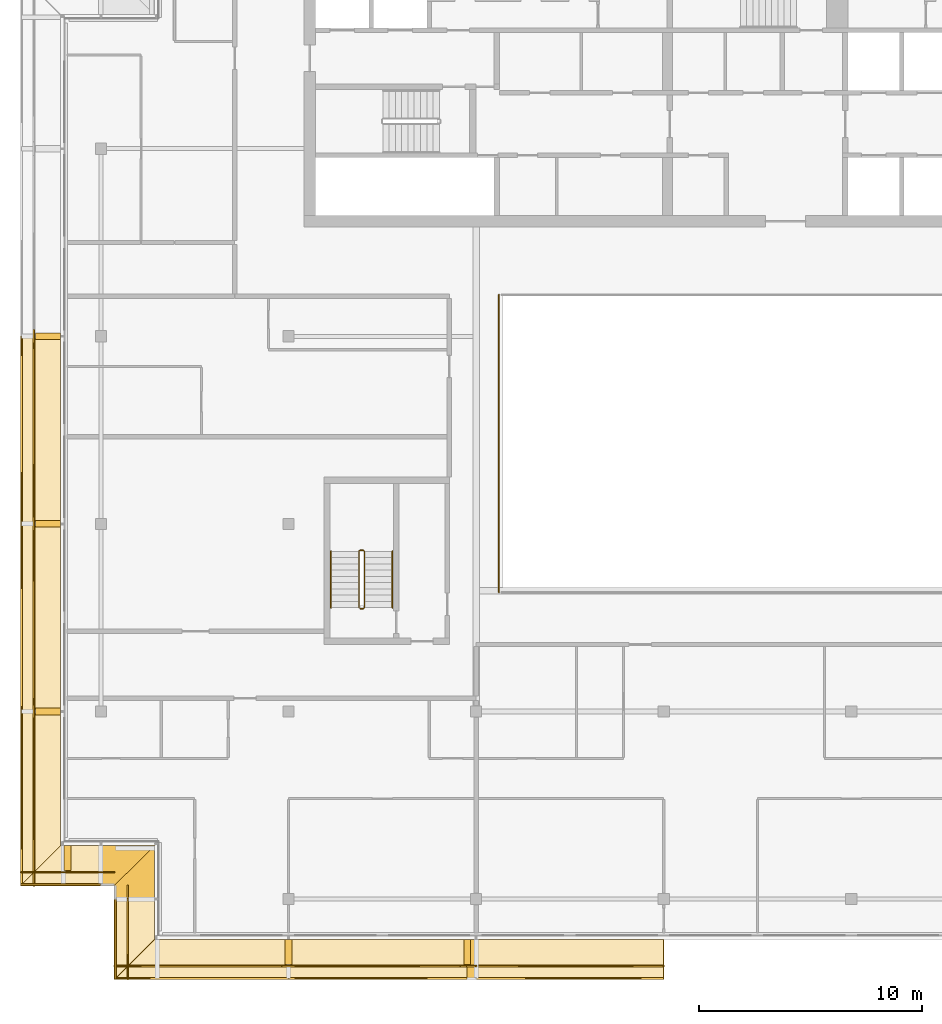
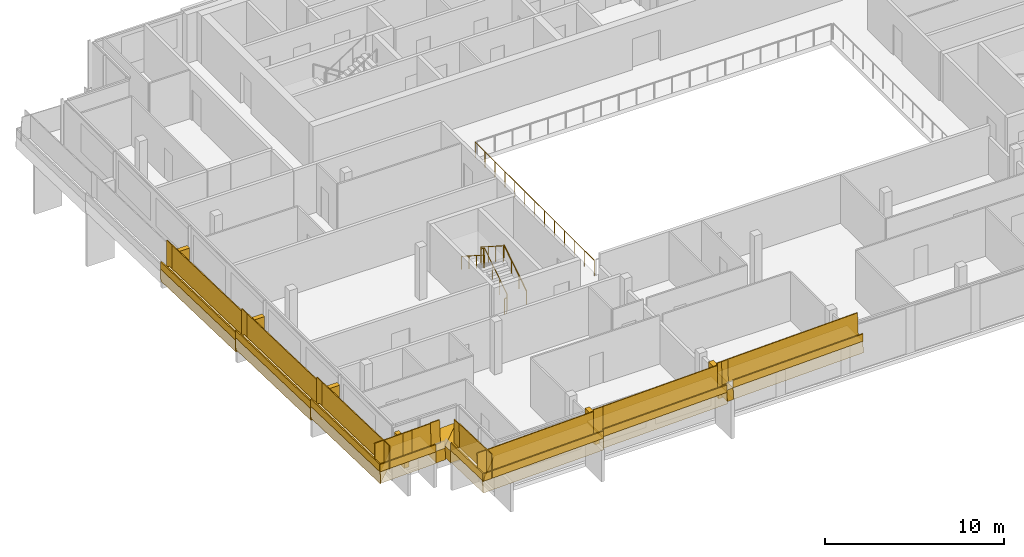
# One storey, part 22 of 27: 25 coverings, 21 railings.
"""IFC4 building model written with IfcOpenShell, lengths in metres."""

from ifc_helpers import new_model, si_unit, direction, frame, origin, origin_2d, place, context, subcontext, project, spatial, polyline, rectangle, circle, outline, extrude, material, layer, layer_set, type_object, element, save


model = new_model("IFC4")

# Units and contexts
model_context = context("Model", 3, precision=1e-05, world=origin(), true_north=direction((0.0, 1.0)))
body_context = subcontext(model_context, "Body", "Model", "MODEL_VIEW")
ifc_project = project(units=[si_unit("LENGTHUNIT", "METRE"), si_unit("AREAUNIT", "SQUARE_METRE"), si_unit("VOLUMEUNIT", "CUBIC_METRE"), si_unit("PLANEANGLEUNIT", "RADIAN"), si_unit("MASSUNIT", "GRAM", prefix="KILO")], contexts=[model_context])

# Site, building, storey
site_placement = place(None, origin())
site = spatial("IfcSite", under=ifc_project, at=site_placement, CompositionType="ELEMENT")
building_placement = place(site_placement, origin())
building = spatial("IfcBuilding", under=site, at=building_placement, Name="Saffron Gate Tower", CompositionType="ELEMENT")
storey_placement = place(building_placement, frame((0.0, 0.0, 274.35009765625)))
storey = spatial("IfcBuildingStorey", under=building, at=storey_placement, Name="L66", CompositionType="ELEMENT", Elevation=274.35009765625)

# Railings
ifc_material_1 = material(Name="Stainless steel and laminated glass", Category="steel")
railing_type_1 = type_object("IfcRailingType", Name="AG1 Atrium edge guard 1100", PredefinedType="GUARDRAIL", material=ifc_material_1)
railing_1_placement = place(storey_placement, frame((76.02001953125, 45.5400390625, 0.0)))
element("IfcRailing", 1, at=railing_1_placement, inside=storey, type_object=railing_type_1, Name="Guard E3-1", PredefinedType="GUARDRAIL", context=body_context, shape_type="SweptSolid", body=[
    extrude(circle(Radius=0.02392578125, at=origin_2d()), frame((0.0, 0.0, 1.076171875), z_axis=(0.0, 1.0, 0.0), x_axis=(-1.0, 0.0, 0.0)), (0.0, 0.0, 1.0), 13.320068359375),
    extrude(circle(Radius=0.02099609375, at=origin_2d()), origin(), (0.0, 0.0, 1.0), 1.052001953125),
    extrude(circle(Radius=0.02099609375, at=origin_2d()), frame((0.0, 1.110107421875, 0.0)), (0.0, 0.0, 1.0), 1.052001953125),
    extrude(circle(Radius=0.02099609375, at=origin_2d()), frame((0.0, 2.219970703125, 0.0)), (0.0, 0.0, 1.0), 1.052001953125),
    extrude(circle(Radius=0.02099609375, at=origin_2d()), frame((0.0, 3.330078125, 0.0)), (0.0, 0.0, 1.0), 1.052001953125),
    extrude(circle(Radius=0.02099609375, at=origin_2d()), frame((0.0, 4.43994140625, 0.0)), (0.0, 0.0, 1.0), 1.052001953125),
    extrude(circle(Radius=0.02099609375, at=origin_2d()), frame((0.0, 5.550048828125, 0.0)), (0.0, 0.0, 1.0), 1.052001953125),
    extrude(circle(Radius=0.02099609375, at=origin_2d()), frame((0.0, 6.66015625, 0.0)), (0.0, 0.0, 1.0), 1.052001953125),
    extrude(circle(Radius=0.02099609375, at=origin_2d()), frame((0.0, 7.77001953125, 0.0)), (0.0, 0.0, 1.0), 1.052001953125),
    extrude(circle(Radius=0.02099609375, at=origin_2d()), frame((0.0, 8.880126953125, 0.0)), (0.0, 0.0, 1.0), 1.052001953125),
    extrude(circle(Radius=0.02099609375, at=origin_2d()), frame((0.0, 9.989990234375, 0.0)), (0.0, 0.0, 1.0), 1.052001953125),
    extrude(circle(Radius=0.02099609375, at=origin_2d()), frame((0.0, 11.10009765625, 0.0)), (0.0, 0.0, 1.0), 1.052001953125),
    extrude(circle(Radius=0.02099609375, at=origin_2d()), frame((0.0, 12.2099609375, 0.0)), (0.0, 0.0, 1.0), 1.052001953125),
    extrude(circle(Radius=0.02099609375, at=origin_2d()), frame((0.0, 13.320068359375, 0.0)), (0.0, 0.0, 1.0), 1.052001953125),
])
railing_type_2 = type_object("IfcRailingType", Name="CR1 Stair guard 1100", PredefinedType="GUARDRAIL", material=ifc_material_1)
railing_2_placement = place(storey_placement, frame((69.800048828125, 44.800048828125, 0.0)))
element("IfcRailing", 2, at=railing_2_placement, inside=storey, type_object=railing_type_2, Name="L66 ST-D stair guard 1", PredefinedType="GUARDRAIL", context=body_context, shape_type="SweptSolid", body=[
    extrude(circle(Radius=0.02392578125, at=origin_2d()), frame((0.0, 0.0, 1.076171875), z_axis=(1.0, 0.0, 0.0), x_axis=(0.0, 1.0, 0.0)), (0.0, 0.0, 1.0), 0.14990234375),
    extrude(circle(Radius=0.02392578125, at=origin_2d()), frame((0.14990234375, 0.0, 1.076171875), z_axis=(0.258847668887, 0.258847668887, 0.930588936439), x_axis=(-0.707106781187, 0.707106781187, 0.0)), (0.0, 0.0, 1.0), 0.193359375),
    extrude(circle(Radius=0.02392578125, at=origin_2d()), frame((0.199951171875, 0.050048828125, 1.255859375), z_axis=(0.0, 0.841199657755, 0.540724639528), x_axis=(-1.0, 0.0, 0.0)), (0.0, 0.0, 1.0), 2.995849609375),
    extrude(circle(Radius=0.02392578125, at=origin_2d()), frame((0.199951171875, 2.570068359375, 2.8759765625), z_axis=(-0.708833529934, 0.705375805398, 0.0), x_axis=(-0.705375805398, -0.708833529934, 0.0)), (0.0, 0.0, 1.0), 0.070556640625),
    extrude(circle(Radius=0.02392578125, at=origin_2d()), frame((0.14990234375, 2.619873046875, 2.8759765625), z_axis=(-1.0, 0.0, 0.0), x_axis=(0.0, -1.0, 0.0)), (0.0, 0.0, 1.0), 0.14990234375),
    extrude(circle(Radius=0.02392578125, at=origin_2d()), frame((0.0, 2.619873046875, 2.8759765625), z_axis=(-0.258627984543, -0.257366384619, 0.931060744355), x_axis=(0.705375805398, -0.708833529934, 0.0)), (0.0, 0.0, 1.0), 0.193603515625),
    extrude(circle(Radius=0.02392578125, at=origin_2d()), frame((-0.050048828125, 2.570068359375, 3.05615234375), z_axis=(0.0, -0.841199657755, 0.540724639528), x_axis=(1.0, 0.0, 0.0)), (0.0, 0.0, 1.0), 2.995849609375),
    extrude(circle(Radius=0.02099609375, at=origin_2d()), origin(), (0.0, 0.0, 1.0), 1.052001953125),
    extrude(circle(Radius=0.02099609375, at=origin_2d()), frame((0.14990234375, 0.0, 0.0)), (0.0, 0.0, 1.0), 1.052001953125),
    extrude(circle(Radius=0.02099609375, at=origin_2d()), frame((0.199951171875, 0.050048828125, 0.179931640625)), (0.0, 0.0, 1.0), 1.052001953125),
    extrude(circle(Radius=0.02099609375, at=origin_2d()), frame((0.199951171875, 0.89013671875, 0.719970703125)), (0.0, 0.0, 1.0), 1.052001953125),
    extrude(circle(Radius=0.02099609375, at=origin_2d()), frame((0.199951171875, 1.72998046875, 1.259765625)), (0.0, 0.0, 1.0), 1.052001953125),
    extrude(circle(Radius=0.02099609375, at=origin_2d()), frame((0.199951171875, 2.570068359375, 1.7998046875)), (0.0, 0.0, 1.0), 1.052001953125),
    extrude(circle(Radius=0.02099609375, at=origin_2d()), frame((0.14990234375, 2.619873046875, 1.7998046875)), (0.0, 0.0, 1.0), 1.052001953125),
    extrude(circle(Radius=0.02099609375, at=origin_2d()), frame((0.0, 2.619873046875, 1.7998046875)), (0.0, 0.0, 1.0), 1.052001953125),
    extrude(circle(Radius=0.02099609375, at=origin_2d()), frame((-0.050048828125, 2.570068359375, 1.97998046875)), (0.0, 0.0, 1.0), 1.052001953125),
    extrude(circle(Radius=0.02099609375, at=origin_2d()), frame((-0.050048828125, 1.72998046875, 2.52001953125)), (0.0, 0.0, 1.0), 1.052001953125),
    extrude(circle(Radius=0.02099609375, at=origin_2d()), frame((-0.050048828125, 0.89013671875, 3.059814453125)), (0.0, 0.0, 1.0), 1.052001953125),
    extrude(circle(Radius=0.02099609375, at=origin_2d()), frame((-0.050048828125, 0.050048828125, 3.599853515625)), (0.0, 0.0, 1.0), 1.052001953125),
])
ifc_material_2 = material(Name="Stainless steel", Category="steel")
railing_type_3 = type_object("IfcRailingType", Name="CR2 Stair handrail 900", PredefinedType="HANDRAIL", material=ifc_material_2)
railing_3_placement = place(storey_placement, frame((71.25, 44.85009765625, 0.179931640625)))
element("IfcRailing", 3, at=railing_3_placement, inside=storey, type_object=railing_type_3, Name="L66 ST-D stair handrail 1", PredefinedType="HANDRAIL", context=body_context, shape_type="SweptSolid", body=[
    extrude(circle(Radius=0.02392578125, at=origin_2d()), frame((0.0, 0.0, 0.8759765625), z_axis=(0.0, 0.841199657755, 0.540724639528), x_axis=(-1.0, 0.0, 0.0)), (0.0, 0.0, 1.0), 2.995849609375),
    extrude(circle(Radius=0.02099609375, at=origin_2d()), origin(), (0.0, 0.0, 1.0), 0.851806640625),
    extrude(circle(Radius=0.02099609375, at=origin_2d()), frame((0.0, 0.840087890625, 0.5400390625)), (0.0, 0.0, 1.0), 0.851806640625),
    extrude(circle(Radius=0.02099609375, at=origin_2d()), frame((0.0, 1.679931640625, 1.079833984375)), (0.0, 0.0, 1.0), 0.851806640625),
    extrude(circle(Radius=0.02099609375, at=origin_2d()), frame((0.0, 2.52001953125, 1.619873046875)), (0.0, 0.0, 1.0), 0.851806640625),
])
railing_4_placement = place(storey_placement, frame((68.5, 47.3701171875, 1.97998046875)))
element("IfcRailing", 4, at=railing_4_placement, inside=storey, type_object=railing_type_3, Name="L66 ST-D stair handrail 2", PredefinedType="HANDRAIL", context=body_context, shape_type="SweptSolid", body=[
    extrude(circle(Radius=0.02392578125, at=origin_2d()), frame((0.0, 0.0, 0.8759765625), z_axis=(0.0, -0.841199657755, 0.540724639528), x_axis=(1.0, 0.0, 0.0)), (0.0, 0.0, 1.0), 2.995849609375),
    extrude(circle(Radius=0.02099609375, at=origin_2d()), origin(), (0.0, 0.0, 1.0), 0.851806640625),
    extrude(circle(Radius=0.02099609375, at=origin_2d()), frame((0.0, -0.840087890625, 0.5400390625)), (0.0, 0.0, 1.0), 0.851806640625),
    extrude(circle(Radius=0.02099609375, at=origin_2d()), frame((0.0, -1.679931640625, 1.079833984375)), (0.0, 0.0, 1.0), 0.851806640625),
    extrude(circle(Radius=0.02099609375, at=origin_2d()), frame((0.0, -2.52001953125, 1.619873046875)), (0.0, 0.0, 1.0), 0.851806640625),
])

# Coverings
ifc_material_3 = material(Name="Timber, thermally modified ash", Category="wood")
ifc_layer_1 = layer(ifc_material_3, 0.800048828125)
ifc_layer_set_1 = layer_set([ifc_layer_1], Name="LD1 ledge timber")
covering_type_1 = type_object("IfcCoveringType", Name="LD1 ledge timber", PredefinedType="CLADDING", material=ifc_layer_set_1)
covering_1_placement = place(storey_placement, frame((56.39990234375, 57.0, 1.018310546875), z_axis=(0.0, 0.028791175352, 0.999585448184), x_axis=(0.0, -0.999585448184, 0.028791175352)))
element("IfcCovering", 5, at=covering_1_placement, inside=storey, type_object=covering_type_1, Name="LEDGE", PredefinedType="CLADDING", context=body_context, shape_type="SweptSolid", body=[
    extrude(outline(polyline([(0.0, 0.0), (8.403385982666892, 0.0), (8.403385982666892, -1.7998046875), (0.0, -1.7998046875), (0.0, 0.0)])), origin(), (0.0, 0.0, -1.0), 0.800048828125),
])
covering_2_placement = place(storey_placement, frame((56.39990234375, 48.60009765625, 1.425048828125), z_axis=(0.0, 0.028790339263, 0.999585472266), x_axis=(0.0, -0.999585472266, 0.028790339263)))
element("IfcCovering", 6, at=covering_2_placement, inside=storey, type_object=covering_type_1, Name="LEDGE", PredefinedType="CLADDING", context=body_context, shape_type="SweptSolid", body=[
    extrude(outline(polyline([(0.0, 0.0), (8.403630022085892, 0.0), (8.403630022085892, -1.7998046875), (0.0, -1.7998046875), (0.0, 0.0)])), origin(), (0.0, 0.0, -1.0), 0.800048828125),
])
covering_3_placement = place(storey_placement, frame((56.39990234375, 40.199951171875, 1.831787109375), z_axis=(-2.3920834e-05, 0.028789477025, 0.999585496814), x_axis=(1.72e-10, -0.9995854971, 0.028789477033)))
element("IfcCovering", 7, at=covering_3_placement, inside=storey, type_object=covering_type_1, Name="LEDGE", PredefinedType="CLADDING", context=body_context, shape_type="SweptSolid", body=[
    extrude(outline(polyline([(0.0, 0.0), (6.002489288687248, 8.470329472543003e-22), (7.80328207139786, -1.7998046893537554), (-3.087962377470193e-10, -1.7998046869850703), (0.0, 0.0)])), origin(), (0.0, 0.0, -1.0), 0.800048828125),
])
covering_4_placement = place(storey_placement, frame((56.39990234375, 34.199951171875, 2.122314453125), z_axis=(-0.028788135707, -4.6492774e-05, 0.99958553465), x_axis=(0.99958553573, -2.161e-09, 0.028788135738)))
element("IfcCovering", 8, at=covering_4_placement, inside=storey, type_object=covering_type_1, Name="LEDGE", PredefinedType="CLADDING", context=body_context, shape_type="SweptSolid", body=[
    extrude(outline(polyline([(0.0, 0.0), (1.8007927831333284, 4.235164736271502e-22), (1.800792787022667, -1.8000488261795269), (-1.8005557681600073, -1.8000488378518529), (0.0, 0.0)])), origin(), (0.0, 0.0, -1.0), 0.800048828125),
])
covering_5_placement = place(storey_placement, frame((58.199951171875, 34.199951171875, 2.20947265625), z_axis=(-0.028713032424, -8.2123318e-05, 0.999587692514), x_axis=(0.999587695884, 5.056e-09, 0.028713032521)))
element("IfcCovering", 9, at=covering_5_placement, inside=storey, type_object=covering_type_1, Name="LEDGE", PredefinedType="CLADDING", context=body_context, shape_type="SweptSolid", body=[
    extrude(outline(polyline([(0.0, 0.0), (2.401140729112013, 0.0), (0.6003409256550367, -1.800048837230252), (-9.100891367664378e-09, -1.8000488220550201), (0.0, 0.0)])), origin(), (0.0, 0.0, -1.0), 0.800048828125),
])
covering_6_placement = place(storey_placement, frame((60.60009765625, 34.199951171875, 2.32568359375), z_axis=(-2.8677152e-05, 0.028798988267, 0.999585222706), x_axis=(-6.17e-10, -0.999585223117, 0.028798988279)))
element("IfcCovering", 10, at=covering_6_placement, inside=storey, type_object=covering_type_1, Name="LEDGE", PredefinedType="CLADDING", context=body_context, shape_type="SweptSolid", body=[
    extrude(outline(polyline([(0.0, 0.0), (2.400896693585025, -4.235164736271502e-22), (2.400896694694882, -1.8000488273848385), (1.8007927832284332, -1.8000488292351673), (0.0, 0.0)])), origin(), (0.0, 0.0, -1.0), 0.800048828125),
])
covering_7_placement = place(storey_placement, frame((60.60009765625, 31.800048828125, 2.441650390625), z_axis=(-4.5191205e-05, 0.028831989003, 0.999584270769), x_axis=(2.041e-09, -0.999584271789, 0.028831989032)))
element("IfcCovering", 11, at=covering_7_placement, inside=storey, type_object=covering_type_1, Name="LEDGE", PredefinedType="CLADDING", context=body_context, shape_type="SweptSolid", body=[
    extrude(outline(polyline([(0.0, 0.0), (1.8007998167885757, 0.0), (3.6015925908427215, -1.800048837315338), (-3.6746077267916745e-09, -1.80004882628693), (0.0, 0.0)])), origin(), (0.0, 0.0, -1.0), 0.800048828125),
])
covering_8_placement = place(storey_placement, frame((60.60009765625, 30.0, 2.52880859375), z_axis=(-0.028789477025, 2.391759e-05, 0.999585496814), x_axis=(0.9995854971, -1.72e-10, 0.028789477033)))
element("IfcCovering", 12, at=covering_8_placement, inside=storey, type_object=covering_type_1, Name="LEDGE", PredefinedType="CLADDING", context=body_context, shape_type="SweptSolid", body=[
    extrude(outline(polyline([(0.0, 0.0), (6.002489288687248, -8.470329472543003e-22), (6.002489288996045, -1.8000488276101398), (-1.800792782710612, -1.8000488299785034), (0.0, 0.0)])), origin(), (0.0, 0.0, -1.0), 0.800048828125),
])
covering_9_placement = place(storey_placement, frame((66.60009765625, 30.0, 2.8193359375), z_axis=(-0.028796646555, 0.0, 0.999585290582), x_axis=(0.999585290582, 0.0, 0.028796646555)))
element("IfcCovering", 13, at=covering_9_placement, inside=storey, type_object=covering_type_1, Name="LEDGE", PredefinedType="CLADDING", context=body_context, shape_type="SweptSolid", body=[
    extrude(outline(polyline([(0.0, 0.0), (8.003319051788862, 0.0), (8.003319051788862, -1.800048828125), (0.0, -1.800048828125), (0.0, 0.0)])), origin(), (0.0, 0.0, -1.0), 0.800048828125),
])
covering_10_placement = place(storey_placement, frame((74.60009765625, 30.0, 3.206787109375), z_axis=(-0.028681724025, 0.0, 0.999588594726), x_axis=(0.999588594726, 0.0, 0.028681724025)))
element("IfcCovering", 14, at=covering_10_placement, inside=storey, type_object=covering_type_1, Name="LEDGE", PredefinedType="CLADDING", context=body_context, shape_type="SweptSolid", body=[
    extrude(outline(polyline([(0.0, 0.0), (0.40006693339621563, 0.0), (0.40006693339621563, -1.8000488281250004), (0.0, -1.8000488281250004), (0.0, 0.0)])), origin(), (0.0, 0.0, -1.0), 0.800048828125),
])
covering_11_placement = place(storey_placement, frame((75.0, 30.0, 3.22607421875), z_axis=(-0.028791175352, 0.0, 0.999585448184), x_axis=(0.999585448184, 0.0, 0.028791175352)))
element("IfcCovering", 15, at=covering_11_placement, inside=storey, type_object=covering_type_1, Name="LEDGE", PredefinedType="CLADDING", context=body_context, shape_type="SweptSolid", body=[
    extrude(outline(polyline([(0.0, 0.0), (8.403385982666892, 0.0), (8.403385982666892, -1.800048828125), (0.0, -1.800048828125), (0.0, 0.0)])), origin(), (0.0, 0.0, -1.0), 0.800048828125),
])
ifc_layer_2 = layer(ifc_material_3, 0.080078125)
ifc_layer_set_2 = layer_set([ifc_layer_2], Name="LD2 ledge planter trough")
covering_type_2 = type_object("IfcCoveringType", Name="LD2 ledge planter trough", PredefinedType="CLADDING", material=ifc_layer_set_2)
covering_12_placement = place(storey_placement, frame((54.60009765625, 57.0, 1.018310546875), z_axis=(-1.0, 0.0, 0.0), x_axis=(0.0, -0.999585448184, 0.028791175352)))
element("IfcCovering", 16, at=covering_12_placement, inside=storey, type_object=covering_type_2, Name="LEDGE planter trough", PredefinedType="CLADDING", context=body_context, shape_type="SweptSolid", body=[
    extrude(outline(polyline([(0.0, 0.0), (8.403385982666892, 0.0), (8.417781570342743, 0.49979272409216496), (0.014395587675851172, 0.4997927240921649), (0.0, 0.0)])), origin(), (0.0, 0.0, -1.0), 0.080078125),
])
covering_13_placement = place(storey_placement, frame((54.60009765625, 48.60009765625, 1.425048828125), z_axis=(-1.0, 0.0, 0.0), x_axis=(0.0, -0.999585472266, 0.028790339263)))
element("IfcCovering", 17, at=covering_13_placement, inside=storey, type_object=covering_type_2, Name="LEDGE planter trough", PredefinedType="CLADDING", context=body_context, shape_type="SweptSolid", body=[
    extrude(outline(polyline([(0.0, 0.0), (8.403630022085892, 0.0), (8.418025191717298, 0.4997927361329725), (0.014395169631405694, 0.4997927361329725), (0.0, 0.0)])), origin(), (0.0, 0.0, -1.0), 0.080078125),
])
covering_14_placement = place(storey_placement, frame((54.60009765625, 40.199951171875, 1.831787109375), z_axis=(-1.0, 0.0, 0.0), x_axis=(0.0, -0.999585655924, 0.028783962047)))
element("IfcCovering", 18, at=covering_14_placement, inside=storey, type_object=covering_type_2, Name="LEDGE planter trough", PredefinedType="CLADDING", context=body_context, shape_type="SweptSolid", body=[
    extrude(outline(polyline([(0.0, 0.0), (7.803282071825423, 2.7755575615628914e-17), (7.817674052849086, 0.4997928279619612), (0.014391981023662846, 0.4997928279619612), (0.0, 0.0)])), origin(), (0.0, 0.0, -1.0), 0.080078125),
])
covering_15_placement = place(storey_placement, frame((54.60009765625, 32.39990234375, 2.0703125), z_axis=(0.0, -1.0, 0.0), x_axis=(0.999584866472, 0.0, 0.028811364412)))
element("IfcCovering", 19, at=covering_15_placement, inside=storey, type_object=covering_type_2, Name="LEDGE planter trough", PredefinedType="CLADDING", context=body_context, shape_type="SweptSolid", body=[
    extrude(outline(polyline([(0.0, 0.0), (3.601348556155073, 0.0), (3.6157542383609322, 0.49979243323622236), (0.01440568220585924, 0.49979243323622236), (0.0, 0.0)])), origin(), (0.0, 0.0, -1.0), 0.080078125),
])
covering_16_placement = place(storey_placement, frame((58.800048828125, 31.800048828125, 2.441650390625), z_axis=(-1.0, 0.0, 0.0), x_axis=(0.0, -0.99958492274, 0.028809412191)))
element("IfcCovering", 20, at=covering_16_placement, inside=storey, type_object=covering_type_2, Name="LEDGE planter trough", PredefinedType="CLADDING", context=body_context, shape_type="SweptSolid", body=[
    extrude(outline(polyline([(0.0, 0.0), (3.601592595435983, 0.0), (3.6159973015313485, 0.4997924613700232), (0.014404706095365512, 0.4997924613700232), (0.0, 0.0)])), origin(), (0.0, 0.0, -1.0), 0.080078125),
])
covering_17_placement = place(storey_placement, frame((58.800048828125, 28.199951171875, 2.47705078125), z_axis=(0.0, -1.0, 0.0), x_axis=(0.999585655924, 0.0, 0.028783962047)))
element("IfcCovering", 21, at=covering_17_placement, inside=storey, type_object=covering_type_2, Name="LEDGE planter trough", PredefinedType="CLADDING", context=body_context, shape_type="SweptSolid", body=[
    extrude(outline(polyline([(0.0, 0.0), (7.803282071825423, 2.7755575615628914e-17), (7.817674052849086, 0.4997928279619612), (0.014391981023662846, 0.4997928279619612), (0.0, 0.0)])), origin(), (0.0, 0.0, -1.0), 0.080078125),
])
covering_18_placement = place(storey_placement, frame((66.60009765625, 28.199951171875, 2.8193359375), z_axis=(0.0, -1.0, 0.0), x_axis=(0.999585290582, 0.0, 0.028796646555)))
element("IfcCovering", 22, at=covering_18_placement, inside=storey, type_object=covering_type_2, Name="LEDGE planter trough", PredefinedType="CLADDING", context=body_context, shape_type="SweptSolid", body=[
    extrude(outline(polyline([(0.0, 0.0), (8.003319051788862, 0.0), (8.017717375066283, 0.4997926452908234), (0.014398323277421184, 0.49979264529082346), (0.0, 0.0)])), origin(), (0.0, 0.0, -1.0), 0.080078125),
])
covering_19_placement = place(storey_placement, frame((75.0, 28.199951171875, 3.22607421875), z_axis=(0.0, -1.0, 0.0), x_axis=(0.999585448184, 0.0, 0.028791175352)))
element("IfcCovering", 23, at=covering_19_placement, inside=storey, type_object=covering_type_2, Name="LEDGE planter trough", PredefinedType="CLADDING", context=body_context, shape_type="SweptSolid", body=[
    extrude(outline(polyline([(0.0, 0.0), (8.403385982666892, 0.0), (8.417781570342743, 0.49979272409216496), (0.014395587675851172, 0.4997927240921649), (0.0, 0.0)])), origin(), (0.0, 0.0, -1.0), 0.080078125),
])
ifc_layer_3 = layer(ifc_material_3, 0.300048828125)
ifc_layer_set_3 = layer_set([ifc_layer_3], Name="LD3 ledge riser fin")
covering_type_3 = type_object("IfcCoveringType", Name="LD3 ledge riser fin", PredefinedType="CLADDING", material=ifc_layer_set_3)
for number, where, z_axis, x_axis, name in (
    (24, (55.840087890625, 57.0, 0.053466796875), (0.0, 0.0, 1.0), (0.0, -1.0, 0.0), "LEDGE riser fin"),
    (25, (55.840087890625, 48.60009765625, 0.460205078125), (0.0, 0.0, 1.0), (0.0, -1.0, 0.0), "LEDGE riser fin"),
    (26, (55.840087890625, 40.199951171875, 0.866943359375), (0.0, 0.0, 1.0), (0.0, -1.0, 0.0), "LEDGE riser fin"),
):
    element("IfcCovering", number, at=place(storey_placement, frame(where, z_axis=z_axis, x_axis=x_axis)), inside=storey, type_object=covering_type_3, Name=name, PredefinedType="CLADDING", context=body_context, shape_type="SweptSolid", body=[
        extrude(rectangle(XDim=0.300048828125, YDim=1.1201171875, at=origin_2d()), origin(), (0.0, 0.0, 1.0), 1.86474609375),
    ])
for number, where, z_axis, x_axis, name in (
    (27, (56.699951171875, 33.639892578125, 1.20458984375), (0.0, 0.0, 1.0), (1.0, 0.0, 0.0), "LEDGE riser fin"),
    (28, (66.60009765625, 29.43994140625, 1.90185546875), (0.0, 0.0, 1.0), (1.0, 0.0, 0.0), "LEDGE riser fin"),
):
    element("IfcCovering", number, at=place(storey_placement, frame(where, z_axis=z_axis, x_axis=x_axis)), inside=storey, type_object=covering_type_3, Name=name, PredefinedType="CLADDING", context=body_context, shape_type="SweptSolid", body=[
        extrude(rectangle(XDim=0.300048828125, YDim=1.1201171875, at=origin_2d()), origin(), (0.0, 0.0, 1.0), 1.817626953125),
    ])
covering_20_placement = place(storey_placement, frame((74.60009765625, 29.43994140625, 2.249755859375), z_axis=(0.0, 0.0, 1.0), x_axis=(1.0, 0.0, 0.0)))
element("IfcCovering", 29, at=covering_20_placement, inside=storey, type_object=covering_type_3, Name="LEDGE riser fin", PredefinedType="CLADDING", context=body_context, shape_type="SweptSolid", body=[
    extrude(rectangle(XDim=0.300048828125, YDim=1.1201171875, at=origin_2d()), origin(), (0.0, 0.0, 1.0), 1.85693359375),
])

# Railings
railing_type_4 = type_object("IfcRailingType", Name="LG1 ledge balustrade", PredefinedType="BALUSTRADE", material=ifc_material_3)
railing_5_placement = place(storey_placement, frame((55.199951171875, 57.0, 1.018310546875)))
element("IfcRailing", 30, at=railing_5_placement, inside=storey, type_object=railing_type_4, Name="LEDGE BALUSTRADE", PredefinedType="BALUSTRADE", context=body_context, shape_type="SweptSolid", body=[
    extrude(rectangle(XDim=0.06005859375, YDim=1.60009765625, at=origin_2d()), frame((0.0, 0.0, 0.800048828125), z_axis=(0.0, -0.999585448184, 0.028791175352), x_axis=(1.0, 0.0, 0.0)), (0.0, 0.0, 1.0), 8.4033203125),
])
railing_6_placement = place(storey_placement, frame((55.199951171875, 57.300048828125, 0.853515625)))
element("IfcRailing", 31, at=railing_6_placement, inside=storey, type_object=railing_type_4, Name="LEDGE BALUSTRADE", PredefinedType="BALUSTRADE", context=body_context, shape_type="SweptSolid", body=[
    extrude(rectangle(XDim=0.06005859375, YDim=1.7646484375, at=origin_2d()), frame((0.0, 0.0, 0.88232421875), z_axis=(0.0, -1.0, 0.0), x_axis=(1.0, 0.0, 0.0)), (0.0, 0.0, 1.0), 0.60009765625),
])
railing_7_placement = place(storey_placement, frame((55.199951171875, 48.60009765625, 1.425048828125)))
element("IfcRailing", 32, at=railing_7_placement, inside=storey, type_object=railing_type_4, Name="LEDGE BALUSTRADE", PredefinedType="BALUSTRADE", context=body_context, shape_type="SweptSolid", body=[
    extrude(rectangle(XDim=0.06005859375, YDim=1.60009765625, at=origin_2d()), frame((0.0, 0.0, 0.800048828125), z_axis=(0.0, -0.999585472266, 0.028790339263), x_axis=(1.0, 0.0, 0.0)), (0.0, 0.0, 1.0), 8.403564453125),
])
railing_8_placement = place(storey_placement, frame((55.199951171875, 48.89990234375, 1.26025390625)))
element("IfcRailing", 33, at=railing_8_placement, inside=storey, type_object=railing_type_4, Name="LEDGE BALUSTRADE", PredefinedType="BALUSTRADE", context=body_context, shape_type="SweptSolid", body=[
    extrude(rectangle(XDim=0.06005859375, YDim=1.7646484375, at=origin_2d()), frame((0.0, 0.0, 0.88232421875), z_axis=(0.0, -1.0, 0.0), x_axis=(1.0, 0.0, 0.0)), (0.0, 0.0, 1.0), 0.599853515625),
])
railing_9_placement = place(storey_placement, frame((55.199951171875, 40.199951171875, 1.831787109375)))
element("IfcRailing", 34, at=railing_9_placement, inside=storey, type_object=railing_type_4, Name="LEDGE BALUSTRADE", PredefinedType="BALUSTRADE", context=body_context, shape_type="SweptSolid", body=[
    extrude(rectangle(XDim=0.06005859375, YDim=1.60009765625, at=origin_2d()), frame((0.0, 0.0, 0.800048828125), z_axis=(0.0, -0.999585655924, 0.028783962047), x_axis=(1.0, 0.0, 0.0)), (0.0, 0.0, 1.0), 7.80322265625),
])
railing_10_placement = place(storey_placement, frame((55.199951171875, 40.5, 1.6669921875)))
element("IfcRailing", 35, at=railing_10_placement, inside=storey, type_object=railing_type_4, Name="LEDGE BALUSTRADE", PredefinedType="BALUSTRADE", context=body_context, shape_type="SweptSolid", body=[
    extrude(rectangle(XDim=0.06005859375, YDim=1.7646484375, at=origin_2d()), frame((0.0, 0.0, 0.88232421875), z_axis=(0.0, -1.0, 0.0), x_axis=(1.0, 0.0, 0.0)), (0.0, 0.0, 1.0), 0.60009765625),
])
railing_11_placement = place(storey_placement, frame((54.60009765625, 33.0, 2.0703125)))
element("IfcRailing", 36, at=railing_11_placement, inside=storey, type_object=railing_type_4, Name="LEDGE BALUSTRADE", PredefinedType="BALUSTRADE", context=body_context, shape_type="SweptSolid", body=[
    extrude(rectangle(XDim=0.06005859375, YDim=1.60009765625, at=origin_2d()), frame((0.0, 0.0, 0.800048828125), z_axis=(0.999584866472, 0.0, 0.028811364412), x_axis=(0.0, 1.0, 0.0)), (0.0, 0.0, 1.0), 3.601318359375),
])
railing_12_placement = place(storey_placement, frame((56.39990234375, 33.0, 2.004638671875)))
element("IfcRailing", 37, at=railing_12_placement, inside=storey, type_object=railing_type_4, Name="LEDGE BALUSTRADE", PredefinedType="BALUSTRADE", context=body_context, shape_type="SweptSolid", body=[
    extrude(rectangle(XDim=0.06005859375, YDim=1.7177734375, at=origin_2d()), frame((0.0, 0.0, 0.85888671875), z_axis=(1.0, 0.0, 0.0), x_axis=(0.0, 1.0, 0.0)), (0.0, 0.0, 1.0), 0.60009765625),
])
railing_13_placement = place(storey_placement, frame((58.199951171875, 33.0, 2.20947265625)))
element("IfcRailing", 38, at=railing_13_placement, inside=storey, type_object=railing_type_4, Name="LEDGE BALUSTRADE", PredefinedType="BALUSTRADE", context=body_context, shape_type="SweptSolid", body=[
    extrude(rectangle(XDim=0.06005859375, YDim=1.60009765625, at=origin_2d()), frame((0.0, 0.0, 0.800048828125), z_axis=(0.999594735783, 0.0, 0.028466896463), x_axis=(0.0, 1.0, 0.0)), (0.0, 0.0, 1.0), 0.600341796875),
])
railing_14_placement = place(storey_placement, frame((59.39990234375, 32.39990234375, 2.37744140625)))
element("IfcRailing", 39, at=railing_14_placement, inside=storey, type_object=railing_type_4, Name="LEDGE BALUSTRADE", PredefinedType="BALUSTRADE", context=body_context, shape_type="SweptSolid", body=[
    extrude(rectangle(XDim=0.06005859375, YDim=1.60009765625, at=origin_2d()), frame((0.0, 0.0, 0.800048828125), z_axis=(0.0, -0.999582742162, 0.028884971385), x_axis=(1.0, 0.0, 0.0)), (0.0, 0.0, 1.0), 0.60009765625),
])
railing_15_placement = place(storey_placement, frame((59.39990234375, 31.800048828125, 2.441650390625)))
element("IfcRailing", 40, at=railing_15_placement, inside=storey, type_object=railing_type_4, Name="LEDGE BALUSTRADE", PredefinedType="BALUSTRADE", context=body_context, shape_type="SweptSolid", body=[
    extrude(rectangle(XDim=0.06005859375, YDim=1.60009765625, at=origin_2d()), frame((0.0, 0.0, 0.800048828125), z_axis=(0.0, -0.99958492274, 0.028809412191), x_axis=(1.0, 0.0, 0.0)), (0.0, 0.0, 1.0), 3.6015625),
])
railing_16_placement = place(storey_placement, frame((58.800048828125, 28.800048828125, 2.47705078125)))
element("IfcRailing", 41, at=railing_16_placement, inside=storey, type_object=railing_type_4, Name="LEDGE BALUSTRADE", PredefinedType="BALUSTRADE", context=body_context, shape_type="SweptSolid", body=[
    extrude(rectangle(XDim=0.06005859375, YDim=1.60009765625, at=origin_2d()), frame((0.0, 0.0, 0.800048828125), z_axis=(0.999585655924, 0.0, 0.028783962047), x_axis=(0.0, 1.0, 0.0)), (0.0, 0.0, 1.0), 7.80322265625),
])
railing_17_placement = place(storey_placement, frame((66.60009765625, 28.800048828125, 2.8193359375)))
element("IfcRailing", 42, at=railing_17_placement, inside=storey, type_object=railing_type_4, Name="LEDGE BALUSTRADE", PredefinedType="BALUSTRADE", context=body_context, shape_type="SweptSolid", body=[
    extrude(rectangle(XDim=0.06005859375, YDim=1.60009765625, at=origin_2d()), frame((0.0, 0.0, 0.800048828125), z_axis=(0.999585290582, 0.0, 0.028796646555), x_axis=(0.0, 1.0, 0.0)), (0.0, 0.0, 1.0), 8.00341796875),
])
railing_18_placement = place(storey_placement, frame((66.300048828125, 28.800048828125, 2.70166015625)))
element("IfcRailing", 43, at=railing_18_placement, inside=storey, type_object=railing_type_4, Name="LEDGE BALUSTRADE", PredefinedType="BALUSTRADE", context=body_context, shape_type="SweptSolid", body=[
    extrude(rectangle(XDim=0.06005859375, YDim=1.7177734375, at=origin_2d()), frame((0.0, 0.0, 0.85888671875), z_axis=(1.0, 0.0, 0.0), x_axis=(0.0, 1.0, 0.0)), (0.0, 0.0, 1.0), 0.599853515625),
])
railing_19_placement = place(storey_placement, frame((74.60009765625, 28.800048828125, 3.206787109375)))
element("IfcRailing", 44, at=railing_19_placement, inside=storey, type_object=railing_type_4, Name="LEDGE BALUSTRADE", PredefinedType="BALUSTRADE", context=body_context, shape_type="SweptSolid", body=[
    extrude(rectangle(XDim=0.06005859375, YDim=1.60009765625, at=origin_2d()), frame((0.0, 0.0, 0.800048828125), z_axis=(0.999588594726, 0.0, 0.028681724025), x_axis=(0.0, 1.0, 0.0)), (0.0, 0.0, 1.0), 0.400146484375),
])
railing_20_placement = place(storey_placement, frame((74.300048828125, 28.800048828125, 3.0498046875)))
element("IfcRailing", 45, at=railing_20_placement, inside=storey, type_object=railing_type_4, Name="LEDGE BALUSTRADE", PredefinedType="BALUSTRADE", context=body_context, shape_type="SweptSolid", body=[
    extrude(rectangle(XDim=0.06005859375, YDim=1.7568359375, at=origin_2d()), frame((0.0, 0.0, 0.87841796875), z_axis=(1.0, 0.0, 0.0), x_axis=(0.0, 1.0, 0.0)), (0.0, 0.0, 1.0), 0.599853515625),
])
railing_21_placement = place(storey_placement, frame((75.0, 28.800048828125, 3.22607421875)))
element("IfcRailing", 46, at=railing_21_placement, inside=storey, type_object=railing_type_4, Name="LEDGE BALUSTRADE", PredefinedType="BALUSTRADE", context=body_context, shape_type="SweptSolid", body=[
    extrude(rectangle(XDim=0.06005859375, YDim=1.60009765625, at=origin_2d()), frame((0.0, 0.0, 0.800048828125), z_axis=(0.999585448184, 0.0, 0.028791175352), x_axis=(0.0, 1.0, 0.0)), (0.0, 0.0, 1.0), 8.4033203125),
])

save(model, "model.ifc")
